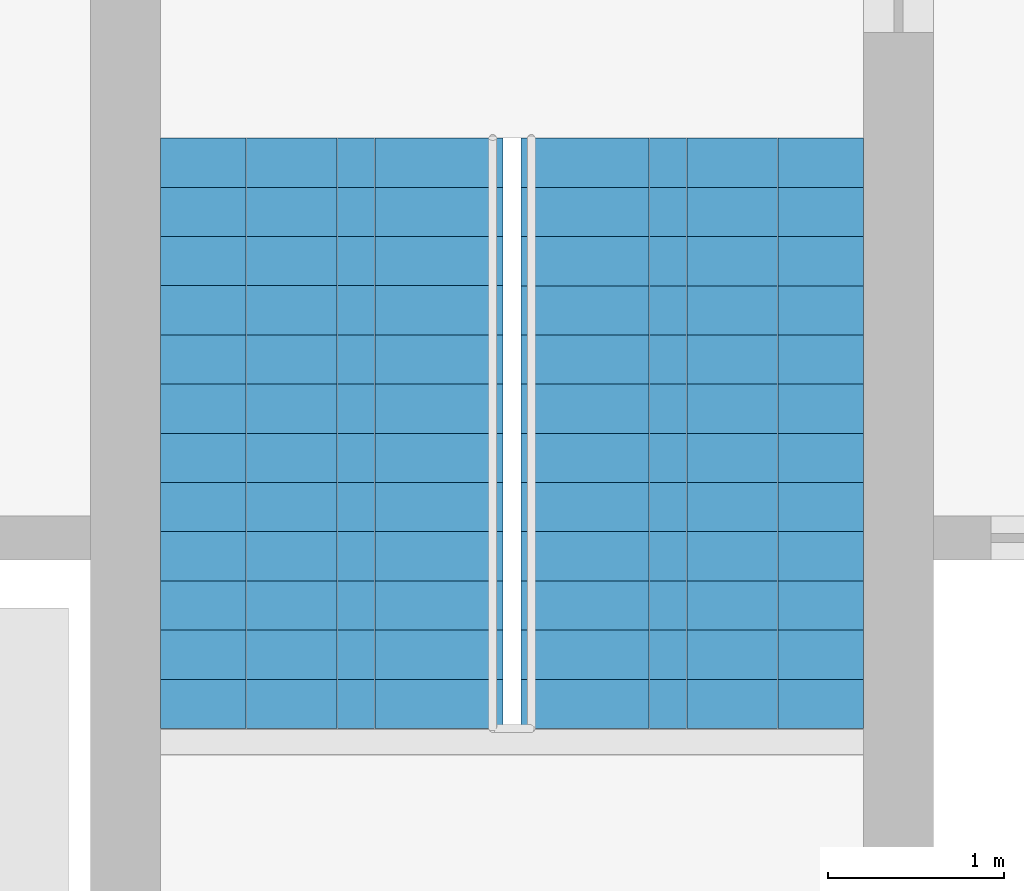
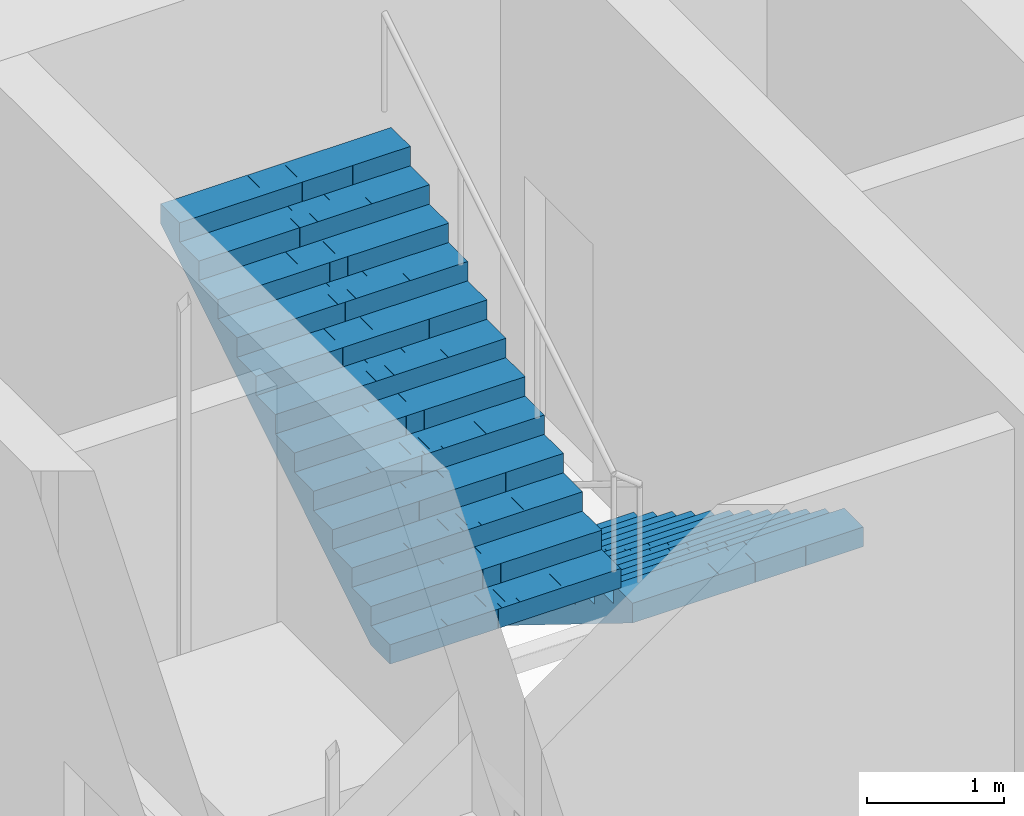
# One storey, part 19 of 27: 2 stair flights, 1 element without a shape of its own.
"""IFC4 building model written with IfcOpenShell, lengths in metres."""

from ifc_helpers import new_model, si_unit, direction, frame, origin, place, context, subcontext, project, spatial, polyline, outline, extrude, material, type_object, element, aggregate, save


model = new_model("IFC4")

# Units and contexts
model_context = context("Model", 3, precision=1e-05, world=origin(), true_north=direction((0.0, 1.0)))
body_context = subcontext(model_context, "Body", "Model", "MODEL_VIEW")
ifc_project = project(units=[si_unit("LENGTHUNIT", "METRE"), si_unit("AREAUNIT", "SQUARE_METRE"), si_unit("VOLUMEUNIT", "CUBIC_METRE"), si_unit("PLANEANGLEUNIT", "RADIAN"), si_unit("MASSUNIT", "GRAM", prefix="KILO")], contexts=[model_context])

# Site, building, storey
site_placement = place(None, origin())
site = spatial("IfcSite", under=ifc_project, at=site_placement, CompositionType="ELEMENT")
building_placement = place(site_placement, origin())
building = spatial("IfcBuilding", under=site, at=building_placement, Name="Mizan Broadcast Tower", CompositionType="ELEMENT")
storey_placement = place(building_placement, frame((0.0, 0.0, 113.699951171875)))
storey = spatial("IfcBuildingStorey", under=building, at=storey_placement, Name="L25", CompositionType="ELEMENT", Elevation=113.699951171875)

# Stair, stair flights
ifc_material_1 = material(Name="Concrete C40/50", Category="concrete")
stair_type = type_object("IfcStairType", Name="EXIT STAIR", PredefinedType="HALF_TURN_STAIR", material=ifc_material_1)
stair_placement = place(storey_placement, origin())
stair = element("IfcStair", 1, at=stair_placement, inside=storey, type_object=stair_type, Name="Stair B L25", PredefinedType="HALF_TURN_STAIR")
ifc_material_2 = material(Name="Concrete C40/50", Category="concrete")
stair_flight_type = type_object("IfcStairFlightType", Name="EXIT STAIR FLIGHT", PredefinedType="STRAIGHT", material=ifc_material_2)
stair_flight_1_placement = place(storey_placement, frame((1.02490234375, 7.89990234375, 0.0), z_axis=(0.0, 0.0, 1.0), x_axis=(0.0, -1.0, 0.0)))
stair_flight_1 = element("IfcStairFlight", 2, at=stair_flight_1_placement, type_object=stair_flight_type, Name="B flight 1", NumberOfRisers=13, NumberOfTreads=12, PredefinedType="STRAIGHT", RiserHeight=0.173076923, TreadLength=0.28, context=body_context, shape_type="SweptSolid", body=[
    extrude(outline(polyline([(0.0, 0.0), (0.0, 0.173095703125), (0.280029296875, 0.173095703125), (0.280029296875, 0.34619140625), (0.56005859375, 0.34619140625), (0.56005859375, 0.519287109375), (0.840087890625, 0.519287109375), (0.840087890625, 0.6923828125), (1.1201171875, 0.6923828125), (1.1201171875, 0.865478515625), (1.39990234375, 0.865478515625), (1.39990234375, 1.03857421875), (1.679931640625, 1.03857421875), (1.679931640625, 1.21142578125), (1.9599609375, 1.21142578125), (1.9599609375, 1.384521484375), (2.239990234375, 1.384521484375), (2.239990234375, 1.5576171875), (2.52001953125, 1.5576171875), (2.52001953125, 1.730712890625), (2.800048828125, 1.730712890625), (2.800048828125, 1.90380859375), (3.080078125, 1.90380859375), (3.080078125, 2.076904296875), (3.360107421875, 2.076904296875), (3.360107421875, 2.25), (3.360107421875, 1.900634765625), (0.28515625, 0.0), (0.0, 0.0)])), frame((0.0, 0.97509765625, 0.0), z_axis=(0.0, -1.0, 0.0), x_axis=(1.0, 0.0, 0.0)), (0.0, 0.0, 1.0), 0.4873046875),
    extrude(outline(polyline([(0.0, 0.0), (0.0, 0.173095703125), (0.280029296875, 0.173095703125), (0.280029296875, 0.34619140625), (0.56005859375, 0.34619140625), (0.56005859375, 0.519287109375), (0.840087890625, 0.519287109375), (0.840087890625, 0.6923828125), (1.1201171875, 0.6923828125), (1.1201171875, 0.865478515625), (1.39990234375, 0.865478515625), (1.39990234375, 1.03857421875), (1.679931640625, 1.03857421875), (1.679931640625, 1.21142578125), (1.9599609375, 1.21142578125), (1.9599609375, 1.384521484375), (2.239990234375, 1.384521484375), (2.239990234375, 1.5576171875), (2.52001953125, 1.5576171875), (2.52001953125, 1.730712890625), (2.800048828125, 1.730712890625), (2.800048828125, 1.90380859375), (3.080078125, 1.90380859375), (3.080078125, 2.076904296875), (3.360107421875, 2.076904296875), (3.360107421875, 2.25), (3.360107421875, 1.900634765625), (0.28515625, 0.0), (0.0, 0.0)])), frame((0.0, 0.4873046875, 0.0), z_axis=(0.0, -1.0, 0.0), x_axis=(1.0, 0.0, 0.0)), (0.0, 0.0, 1.0), 0.2431640625),
    extrude(outline(polyline([(0.0, 0.0), (0.0, 0.173095703125), (0.280029296875, 0.173095703125), (0.280029296875, 0.34619140625), (0.56005859375, 0.34619140625), (0.56005859375, 0.519287109375), (0.840087890625, 0.519287109375), (0.840087890625, 0.6923828125), (1.1201171875, 0.6923828125), (1.1201171875, 0.865478515625), (1.39990234375, 0.865478515625), (1.39990234375, 1.03857421875), (1.679931640625, 1.03857421875), (1.679931640625, 1.21142578125), (1.9599609375, 1.21142578125), (1.9599609375, 1.384521484375), (2.239990234375, 1.384521484375), (2.239990234375, 1.5576171875), (2.52001953125, 1.5576171875), (2.52001953125, 1.730712890625), (2.800048828125, 1.730712890625), (2.800048828125, 1.90380859375), (3.080078125, 1.90380859375), (3.080078125, 2.076904296875), (3.360107421875, 2.076904296875), (3.360107421875, 2.25), (3.360107421875, 1.900634765625), (0.28515625, 0.0), (0.0, 0.0)])), frame((0.0, 0.24365234375, 0.0), z_axis=(0.0, -1.0, 0.0), x_axis=(1.0, 0.0, 0.0)), (0.0, 0.0, 1.0), 0.121337890625),
    extrude(outline(polyline([(0.0, 0.0), (0.0, 0.173095703125), (0.280029296875, 0.173095703125), (0.280029296875, 0.34619140625), (0.56005859375, 0.34619140625), (0.56005859375, 0.519287109375), (0.840087890625, 0.519287109375), (0.840087890625, 0.6923828125), (1.1201171875, 0.6923828125), (1.1201171875, 0.865478515625), (1.39990234375, 0.865478515625), (1.39990234375, 1.03857421875), (1.679931640625, 1.03857421875), (1.679931640625, 1.21142578125), (1.9599609375, 1.21142578125), (1.9599609375, 1.384521484375), (2.239990234375, 1.384521484375), (2.239990234375, 1.5576171875), (2.52001953125, 1.5576171875), (2.52001953125, 1.730712890625), (2.800048828125, 1.730712890625), (2.800048828125, 1.90380859375), (3.080078125, 1.90380859375), (3.080078125, 2.076904296875), (3.360107421875, 2.076904296875), (3.360107421875, 2.25), (3.360107421875, 1.900634765625), (0.28515625, 0.0), (0.0, 0.0)])), frame((0.0, 0.121826171875, 0.0), z_axis=(0.0, -1.0, 0.0), x_axis=(1.0, 0.0, 0.0)), (0.0, 0.0, 1.0), 0.060546875),
    extrude(outline(polyline([(0.0, 0.0), (0.0, 0.173095703125), (0.280029296875, 0.173095703125), (0.280029296875, 0.34619140625), (0.56005859375, 0.34619140625), (0.56005859375, 0.519287109375), (0.840087890625, 0.519287109375), (0.840087890625, 0.6923828125), (1.1201171875, 0.6923828125), (1.1201171875, 0.865478515625), (1.39990234375, 0.865478515625), (1.39990234375, 1.03857421875), (1.679931640625, 1.03857421875), (1.679931640625, 1.21142578125), (1.9599609375, 1.21142578125), (1.9599609375, 1.384521484375), (2.239990234375, 1.384521484375), (2.239990234375, 1.5576171875), (2.52001953125, 1.5576171875), (2.52001953125, 1.730712890625), (2.800048828125, 1.730712890625), (2.800048828125, 1.90380859375), (3.080078125, 1.90380859375), (3.080078125, 2.076904296875), (3.360107421875, 2.076904296875), (3.360107421875, 2.25), (3.360107421875, 1.900634765625), (0.28515625, 0.0), (0.0, 0.0)])), frame((0.0, 0.060791015625, 0.0), z_axis=(0.0, -1.0, 0.0), x_axis=(1.0, 0.0, 0.0)), (0.0, 0.0, 1.0), 0.030029296875),
    extrude(outline(polyline([(0.0, 0.0), (0.0, 0.173095703125), (0.280029296875, 0.173095703125), (0.280029296875, 0.34619140625), (0.56005859375, 0.34619140625), (0.56005859375, 0.519287109375), (0.840087890625, 0.519287109375), (0.840087890625, 0.6923828125), (1.1201171875, 0.6923828125), (1.1201171875, 0.865478515625), (1.39990234375, 0.865478515625), (1.39990234375, 1.03857421875), (1.679931640625, 1.03857421875), (1.679931640625, 1.21142578125), (1.9599609375, 1.21142578125), (1.9599609375, 1.384521484375), (2.239990234375, 1.384521484375), (2.239990234375, 1.5576171875), (2.52001953125, 1.5576171875), (2.52001953125, 1.730712890625), (2.800048828125, 1.730712890625), (2.800048828125, 1.90380859375), (3.080078125, 1.90380859375), (3.080078125, 2.076904296875), (3.360107421875, 2.076904296875), (3.360107421875, 2.25), (3.360107421875, 1.900634765625), (0.28515625, 0.0), (0.0, 0.0)])), frame((0.0, 0.0302734375, 0.0), z_axis=(0.0, -1.0, 0.0), x_axis=(1.0, 0.0, 0.0)), (0.0, 0.0, 1.0), 0.060302734375),
    extrude(outline(polyline([(0.0, 0.0), (0.0, 0.173095703125), (0.280029296875, 0.173095703125), (0.280029296875, 0.34619140625), (0.56005859375, 0.34619140625), (0.56005859375, 0.519287109375), (0.840087890625, 0.519287109375), (0.840087890625, 0.6923828125), (1.1201171875, 0.6923828125), (1.1201171875, 0.865478515625), (1.39990234375, 0.865478515625), (1.39990234375, 1.03857421875), (1.679931640625, 1.03857421875), (1.679931640625, 1.21142578125), (1.9599609375, 1.21142578125), (1.9599609375, 1.384521484375), (2.239990234375, 1.384521484375), (2.239990234375, 1.5576171875), (2.52001953125, 1.5576171875), (2.52001953125, 1.730712890625), (2.800048828125, 1.730712890625), (2.800048828125, 1.90380859375), (3.080078125, 1.90380859375), (3.080078125, 2.076904296875), (3.360107421875, 2.076904296875), (3.360107421875, 2.25), (3.360107421875, 1.900634765625), (0.28515625, 0.0), (0.0, 0.0)])), frame((0.0, -0.030517578125, 0.0), z_axis=(0.0, -1.0, 0.0), x_axis=(1.0, 0.0, 0.0)), (0.0, 0.0, 1.0), 0.030029296875),
    extrude(outline(polyline([(0.0, 0.0), (0.0, 0.173095703125), (0.280029296875, 0.173095703125), (0.280029296875, 0.34619140625), (0.56005859375, 0.34619140625), (0.56005859375, 0.519287109375), (0.840087890625, 0.519287109375), (0.840087890625, 0.6923828125), (1.1201171875, 0.6923828125), (1.1201171875, 0.865478515625), (1.39990234375, 0.865478515625), (1.39990234375, 1.03857421875), (1.679931640625, 1.03857421875), (1.679931640625, 1.21142578125), (1.9599609375, 1.21142578125), (1.9599609375, 1.384521484375), (2.239990234375, 1.384521484375), (2.239990234375, 1.5576171875), (2.52001953125, 1.5576171875), (2.52001953125, 1.730712890625), (2.800048828125, 1.730712890625), (2.800048828125, 1.90380859375), (3.080078125, 1.90380859375), (3.080078125, 2.076904296875), (3.360107421875, 2.076904296875), (3.360107421875, 2.25), (3.360107421875, 1.900634765625), (0.28515625, 0.0), (0.0, 0.0)])), frame((0.0, -0.06103515625, 0.0), z_axis=(0.0, -1.0, 0.0), x_axis=(1.0, 0.0, 0.0)), (0.0, 0.0, 1.0), 0.060546875),
    extrude(outline(polyline([(0.0, 0.0), (0.0, 0.173095703125), (0.280029296875, 0.173095703125), (0.280029296875, 0.34619140625), (0.56005859375, 0.34619140625), (0.56005859375, 0.519287109375), (0.840087890625, 0.519287109375), (0.840087890625, 0.6923828125), (1.1201171875, 0.6923828125), (1.1201171875, 0.865478515625), (1.39990234375, 0.865478515625), (1.39990234375, 1.03857421875), (1.679931640625, 1.03857421875), (1.679931640625, 1.21142578125), (1.9599609375, 1.21142578125), (1.9599609375, 1.384521484375), (2.239990234375, 1.384521484375), (2.239990234375, 1.5576171875), (2.52001953125, 1.5576171875), (2.52001953125, 1.730712890625), (2.800048828125, 1.730712890625), (2.800048828125, 1.90380859375), (3.080078125, 1.90380859375), (3.080078125, 2.076904296875), (3.360107421875, 2.076904296875), (3.360107421875, 2.25), (3.360107421875, 1.900634765625), (0.28515625, 0.0), (0.0, 0.0)])), frame((0.0, -0.1220703125, 0.0), z_axis=(0.0, -1.0, 0.0), x_axis=(1.0, 0.0, 0.0)), (0.0, 0.0, 1.0), 0.121337890625),
    extrude(outline(polyline([(0.0, 0.0), (0.0, 0.173095703125), (0.280029296875, 0.173095703125), (0.280029296875, 0.34619140625), (0.56005859375, 0.34619140625), (0.56005859375, 0.519287109375), (0.840087890625, 0.519287109375), (0.840087890625, 0.6923828125), (1.1201171875, 0.6923828125), (1.1201171875, 0.865478515625), (1.39990234375, 0.865478515625), (1.39990234375, 1.03857421875), (1.679931640625, 1.03857421875), (1.679931640625, 1.21142578125), (1.9599609375, 1.21142578125), (1.9599609375, 1.384521484375), (2.239990234375, 1.384521484375), (2.239990234375, 1.5576171875), (2.52001953125, 1.5576171875), (2.52001953125, 1.730712890625), (2.800048828125, 1.730712890625), (2.800048828125, 1.90380859375), (3.080078125, 1.90380859375), (3.080078125, 2.076904296875), (3.360107421875, 2.076904296875), (3.360107421875, 2.25), (3.360107421875, 1.900634765625), (0.28515625, 0.0), (0.0, 0.0)])), frame((0.0, -0.243896484375, 0.0), z_axis=(0.0, -1.0, 0.0), x_axis=(1.0, 0.0, 0.0)), (0.0, 0.0, 1.0), 0.2431640625),
    extrude(outline(polyline([(0.0, 0.0), (0.0, 0.173095703125), (0.280029296875, 0.173095703125), (0.280029296875, 0.34619140625), (0.56005859375, 0.34619140625), (0.56005859375, 0.519287109375), (0.840087890625, 0.519287109375), (0.840087890625, 0.6923828125), (1.1201171875, 0.6923828125), (1.1201171875, 0.865478515625), (1.39990234375, 0.865478515625), (1.39990234375, 1.03857421875), (1.679931640625, 1.03857421875), (1.679931640625, 1.21142578125), (1.9599609375, 1.21142578125), (1.9599609375, 1.384521484375), (2.239990234375, 1.384521484375), (2.239990234375, 1.5576171875), (2.52001953125, 1.5576171875), (2.52001953125, 1.730712890625), (2.800048828125, 1.730712890625), (2.800048828125, 1.90380859375), (3.080078125, 1.90380859375), (3.080078125, 2.076904296875), (3.360107421875, 2.076904296875), (3.360107421875, 2.25), (3.360107421875, 1.900634765625), (0.28515625, 0.0), (0.0, 0.0)])), frame((0.0, -0.487548828125, 0.0), z_axis=(0.0, -1.0, 0.0), x_axis=(1.0, 0.0, 0.0)), (0.0, 0.0, 1.0), 0.4873046875),
])
stair_flight_2_placement = place(storey_placement, frame((-1.02490234375, 4.5400390625, 2.25), z_axis=(0.0, 0.0, 1.0), x_axis=(0.0, 1.0, 0.0)))
stair_flight_2 = element("IfcStairFlight", 3, at=stair_flight_2_placement, type_object=stair_flight_type, Name="B flight 2", NumberOfRisers=13, NumberOfTreads=12, PredefinedType="STRAIGHT", RiserHeight=0.173076923, TreadLength=0.28, context=body_context, shape_type="SweptSolid", body=[
    extrude(outline(polyline([(0.0, 0.0), (0.0, 0.173095703125), (0.280029296875, 0.173095703125), (0.280029296875, 0.34619140625), (0.56005859375, 0.34619140625), (0.56005859375, 0.519287109375), (0.840087890625, 0.519287109375), (0.840087890625, 0.6923828125), (1.1201171875, 0.6923828125), (1.1201171875, 0.865478515625), (1.39990234375, 0.865478515625), (1.39990234375, 1.03857421875), (1.679931640625, 1.03857421875), (1.679931640625, 1.21142578125), (1.9599609375, 1.21142578125), (1.9599609375, 1.384521484375), (2.239990234375, 1.384521484375), (2.239990234375, 1.5576171875), (2.52001953125, 1.5576171875), (2.52001953125, 1.730712890625), (2.800048828125, 1.730712890625), (2.800048828125, 1.90380859375), (3.080078125, 1.90380859375), (3.080078125, 2.076904296875), (3.360107421875, 2.076904296875), (3.360107421875, 2.25), (3.360107421875, 1.900634765625), (0.28515625, 0.0), (0.0, 0.0)])), frame((0.0, 0.97509765625, 0.0), z_axis=(0.0, -1.0, 0.0), x_axis=(1.0, 0.0, 0.0)), (0.0, 0.0, 1.0), 0.4873046875),
    extrude(outline(polyline([(0.0, 0.0), (0.0, 0.173095703125), (0.280029296875, 0.173095703125), (0.280029296875, 0.34619140625), (0.56005859375, 0.34619140625), (0.56005859375, 0.519287109375), (0.840087890625, 0.519287109375), (0.840087890625, 0.6923828125), (1.1201171875, 0.6923828125), (1.1201171875, 0.865478515625), (1.39990234375, 0.865478515625), (1.39990234375, 1.03857421875), (1.679931640625, 1.03857421875), (1.679931640625, 1.21142578125), (1.9599609375, 1.21142578125), (1.9599609375, 1.384521484375), (2.239990234375, 1.384521484375), (2.239990234375, 1.5576171875), (2.52001953125, 1.5576171875), (2.52001953125, 1.730712890625), (2.800048828125, 1.730712890625), (2.800048828125, 1.90380859375), (3.080078125, 1.90380859375), (3.080078125, 2.076904296875), (3.360107421875, 2.076904296875), (3.360107421875, 2.25), (3.360107421875, 1.900634765625), (0.28515625, 0.0), (0.0, 0.0)])), frame((0.0, 0.4873046875, 0.0), z_axis=(0.0, -1.0, 0.0), x_axis=(1.0, 0.0, 0.0)), (0.0, 0.0, 1.0), 0.2431640625),
    extrude(outline(polyline([(0.0, 0.0), (0.0, 0.173095703125), (0.280029296875, 0.173095703125), (0.280029296875, 0.34619140625), (0.56005859375, 0.34619140625), (0.56005859375, 0.519287109375), (0.840087890625, 0.519287109375), (0.840087890625, 0.6923828125), (1.1201171875, 0.6923828125), (1.1201171875, 0.865478515625), (1.39990234375, 0.865478515625), (1.39990234375, 1.03857421875), (1.679931640625, 1.03857421875), (1.679931640625, 1.21142578125), (1.9599609375, 1.21142578125), (1.9599609375, 1.384521484375), (2.239990234375, 1.384521484375), (2.239990234375, 1.5576171875), (2.52001953125, 1.5576171875), (2.52001953125, 1.730712890625), (2.800048828125, 1.730712890625), (2.800048828125, 1.90380859375), (3.080078125, 1.90380859375), (3.080078125, 2.076904296875), (3.360107421875, 2.076904296875), (3.360107421875, 2.25), (3.360107421875, 1.900634765625), (0.28515625, 0.0), (0.0, 0.0)])), frame((0.0, 0.24365234375, 0.0), z_axis=(0.0, -1.0, 0.0), x_axis=(1.0, 0.0, 0.0)), (0.0, 0.0, 1.0), 0.121337890625),
    extrude(outline(polyline([(0.0, 0.0), (0.0, 0.173095703125), (0.280029296875, 0.173095703125), (0.280029296875, 0.34619140625), (0.56005859375, 0.34619140625), (0.56005859375, 0.519287109375), (0.840087890625, 0.519287109375), (0.840087890625, 0.6923828125), (1.1201171875, 0.6923828125), (1.1201171875, 0.865478515625), (1.39990234375, 0.865478515625), (1.39990234375, 1.03857421875), (1.679931640625, 1.03857421875), (1.679931640625, 1.21142578125), (1.9599609375, 1.21142578125), (1.9599609375, 1.384521484375), (2.239990234375, 1.384521484375), (2.239990234375, 1.5576171875), (2.52001953125, 1.5576171875), (2.52001953125, 1.730712890625), (2.800048828125, 1.730712890625), (2.800048828125, 1.90380859375), (3.080078125, 1.90380859375), (3.080078125, 2.076904296875), (3.360107421875, 2.076904296875), (3.360107421875, 2.25), (3.360107421875, 1.900634765625), (0.28515625, 0.0), (0.0, 0.0)])), frame((0.0, 0.121826171875, 0.0), z_axis=(0.0, -1.0, 0.0), x_axis=(1.0, 0.0, 0.0)), (0.0, 0.0, 1.0), 0.060546875),
    extrude(outline(polyline([(0.0, 0.0), (0.0, 0.173095703125), (0.280029296875, 0.173095703125), (0.280029296875, 0.34619140625), (0.56005859375, 0.34619140625), (0.56005859375, 0.519287109375), (0.840087890625, 0.519287109375), (0.840087890625, 0.6923828125), (1.1201171875, 0.6923828125), (1.1201171875, 0.865478515625), (1.39990234375, 0.865478515625), (1.39990234375, 1.03857421875), (1.679931640625, 1.03857421875), (1.679931640625, 1.21142578125), (1.9599609375, 1.21142578125), (1.9599609375, 1.384521484375), (2.239990234375, 1.384521484375), (2.239990234375, 1.5576171875), (2.52001953125, 1.5576171875), (2.52001953125, 1.730712890625), (2.800048828125, 1.730712890625), (2.800048828125, 1.90380859375), (3.080078125, 1.90380859375), (3.080078125, 2.076904296875), (3.360107421875, 2.076904296875), (3.360107421875, 2.25), (3.360107421875, 1.900634765625), (0.28515625, 0.0), (0.0, 0.0)])), frame((0.0, 0.060791015625, 0.0), z_axis=(0.0, -1.0, 0.0), x_axis=(1.0, 0.0, 0.0)), (0.0, 0.0, 1.0), 0.030029296875),
    extrude(outline(polyline([(0.0, 0.0), (0.0, 0.173095703125), (0.280029296875, 0.173095703125), (0.280029296875, 0.34619140625), (0.56005859375, 0.34619140625), (0.56005859375, 0.519287109375), (0.840087890625, 0.519287109375), (0.840087890625, 0.6923828125), (1.1201171875, 0.6923828125), (1.1201171875, 0.865478515625), (1.39990234375, 0.865478515625), (1.39990234375, 1.03857421875), (1.679931640625, 1.03857421875), (1.679931640625, 1.21142578125), (1.9599609375, 1.21142578125), (1.9599609375, 1.384521484375), (2.239990234375, 1.384521484375), (2.239990234375, 1.5576171875), (2.52001953125, 1.5576171875), (2.52001953125, 1.730712890625), (2.800048828125, 1.730712890625), (2.800048828125, 1.90380859375), (3.080078125, 1.90380859375), (3.080078125, 2.076904296875), (3.360107421875, 2.076904296875), (3.360107421875, 2.25), (3.360107421875, 1.900634765625), (0.28515625, 0.0), (0.0, 0.0)])), frame((0.0, 0.0302734375, 0.0), z_axis=(0.0, -1.0, 0.0), x_axis=(1.0, 0.0, 0.0)), (0.0, 0.0, 1.0), 0.060302734375),
    extrude(outline(polyline([(0.0, 0.0), (0.0, 0.173095703125), (0.280029296875, 0.173095703125), (0.280029296875, 0.34619140625), (0.56005859375, 0.34619140625), (0.56005859375, 0.519287109375), (0.840087890625, 0.519287109375), (0.840087890625, 0.6923828125), (1.1201171875, 0.6923828125), (1.1201171875, 0.865478515625), (1.39990234375, 0.865478515625), (1.39990234375, 1.03857421875), (1.679931640625, 1.03857421875), (1.679931640625, 1.21142578125), (1.9599609375, 1.21142578125), (1.9599609375, 1.384521484375), (2.239990234375, 1.384521484375), (2.239990234375, 1.5576171875), (2.52001953125, 1.5576171875), (2.52001953125, 1.730712890625), (2.800048828125, 1.730712890625), (2.800048828125, 1.90380859375), (3.080078125, 1.90380859375), (3.080078125, 2.076904296875), (3.360107421875, 2.076904296875), (3.360107421875, 2.25), (3.360107421875, 1.900634765625), (0.28515625, 0.0), (0.0, 0.0)])), frame((0.0, -0.030517578125, 0.0), z_axis=(0.0, -1.0, 0.0), x_axis=(1.0, 0.0, 0.0)), (0.0, 0.0, 1.0), 0.030029296875),
    extrude(outline(polyline([(0.0, 0.0), (0.0, 0.173095703125), (0.280029296875, 0.173095703125), (0.280029296875, 0.34619140625), (0.56005859375, 0.34619140625), (0.56005859375, 0.519287109375), (0.840087890625, 0.519287109375), (0.840087890625, 0.6923828125), (1.1201171875, 0.6923828125), (1.1201171875, 0.865478515625), (1.39990234375, 0.865478515625), (1.39990234375, 1.03857421875), (1.679931640625, 1.03857421875), (1.679931640625, 1.21142578125), (1.9599609375, 1.21142578125), (1.9599609375, 1.384521484375), (2.239990234375, 1.384521484375), (2.239990234375, 1.5576171875), (2.52001953125, 1.5576171875), (2.52001953125, 1.730712890625), (2.800048828125, 1.730712890625), (2.800048828125, 1.90380859375), (3.080078125, 1.90380859375), (3.080078125, 2.076904296875), (3.360107421875, 2.076904296875), (3.360107421875, 2.25), (3.360107421875, 1.900634765625), (0.28515625, 0.0), (0.0, 0.0)])), frame((0.0, -0.06103515625, 0.0), z_axis=(0.0, -1.0, 0.0), x_axis=(1.0, 0.0, 0.0)), (0.0, 0.0, 1.0), 0.060546875),
    extrude(outline(polyline([(0.0, 0.0), (0.0, 0.173095703125), (0.280029296875, 0.173095703125), (0.280029296875, 0.34619140625), (0.56005859375, 0.34619140625), (0.56005859375, 0.519287109375), (0.840087890625, 0.519287109375), (0.840087890625, 0.6923828125), (1.1201171875, 0.6923828125), (1.1201171875, 0.865478515625), (1.39990234375, 0.865478515625), (1.39990234375, 1.03857421875), (1.679931640625, 1.03857421875), (1.679931640625, 1.21142578125), (1.9599609375, 1.21142578125), (1.9599609375, 1.384521484375), (2.239990234375, 1.384521484375), (2.239990234375, 1.5576171875), (2.52001953125, 1.5576171875), (2.52001953125, 1.730712890625), (2.800048828125, 1.730712890625), (2.800048828125, 1.90380859375), (3.080078125, 1.90380859375), (3.080078125, 2.076904296875), (3.360107421875, 2.076904296875), (3.360107421875, 2.25), (3.360107421875, 1.900634765625), (0.28515625, 0.0), (0.0, 0.0)])), frame((0.0, -0.1220703125, 0.0), z_axis=(0.0, -1.0, 0.0), x_axis=(1.0, 0.0, 0.0)), (0.0, 0.0, 1.0), 0.121337890625),
    extrude(outline(polyline([(0.0, 0.0), (0.0, 0.173095703125), (0.280029296875, 0.173095703125), (0.280029296875, 0.34619140625), (0.56005859375, 0.34619140625), (0.56005859375, 0.519287109375), (0.840087890625, 0.519287109375), (0.840087890625, 0.6923828125), (1.1201171875, 0.6923828125), (1.1201171875, 0.865478515625), (1.39990234375, 0.865478515625), (1.39990234375, 1.03857421875), (1.679931640625, 1.03857421875), (1.679931640625, 1.21142578125), (1.9599609375, 1.21142578125), (1.9599609375, 1.384521484375), (2.239990234375, 1.384521484375), (2.239990234375, 1.5576171875), (2.52001953125, 1.5576171875), (2.52001953125, 1.730712890625), (2.800048828125, 1.730712890625), (2.800048828125, 1.90380859375), (3.080078125, 1.90380859375), (3.080078125, 2.076904296875), (3.360107421875, 2.076904296875), (3.360107421875, 2.25), (3.360107421875, 1.900634765625), (0.28515625, 0.0), (0.0, 0.0)])), frame((0.0, -0.243896484375, 0.0), z_axis=(0.0, -1.0, 0.0), x_axis=(1.0, 0.0, 0.0)), (0.0, 0.0, 1.0), 0.2431640625),
    extrude(outline(polyline([(0.0, 0.0), (0.0, 0.173095703125), (0.280029296875, 0.173095703125), (0.280029296875, 0.34619140625), (0.56005859375, 0.34619140625), (0.56005859375, 0.519287109375), (0.840087890625, 0.519287109375), (0.840087890625, 0.6923828125), (1.1201171875, 0.6923828125), (1.1201171875, 0.865478515625), (1.39990234375, 0.865478515625), (1.39990234375, 1.03857421875), (1.679931640625, 1.03857421875), (1.679931640625, 1.21142578125), (1.9599609375, 1.21142578125), (1.9599609375, 1.384521484375), (2.239990234375, 1.384521484375), (2.239990234375, 1.5576171875), (2.52001953125, 1.5576171875), (2.52001953125, 1.730712890625), (2.800048828125, 1.730712890625), (2.800048828125, 1.90380859375), (3.080078125, 1.90380859375), (3.080078125, 2.076904296875), (3.360107421875, 2.076904296875), (3.360107421875, 2.25), (3.360107421875, 1.900634765625), (0.28515625, 0.0), (0.0, 0.0)])), frame((0.0, -0.487548828125, 0.0), z_axis=(0.0, -1.0, 0.0), x_axis=(1.0, 0.0, 0.0)), (0.0, 0.0, 1.0), 0.4873046875),
])
aggregate(stair, [stair_flight_1, stair_flight_2])

save(model, "model.ifc")
